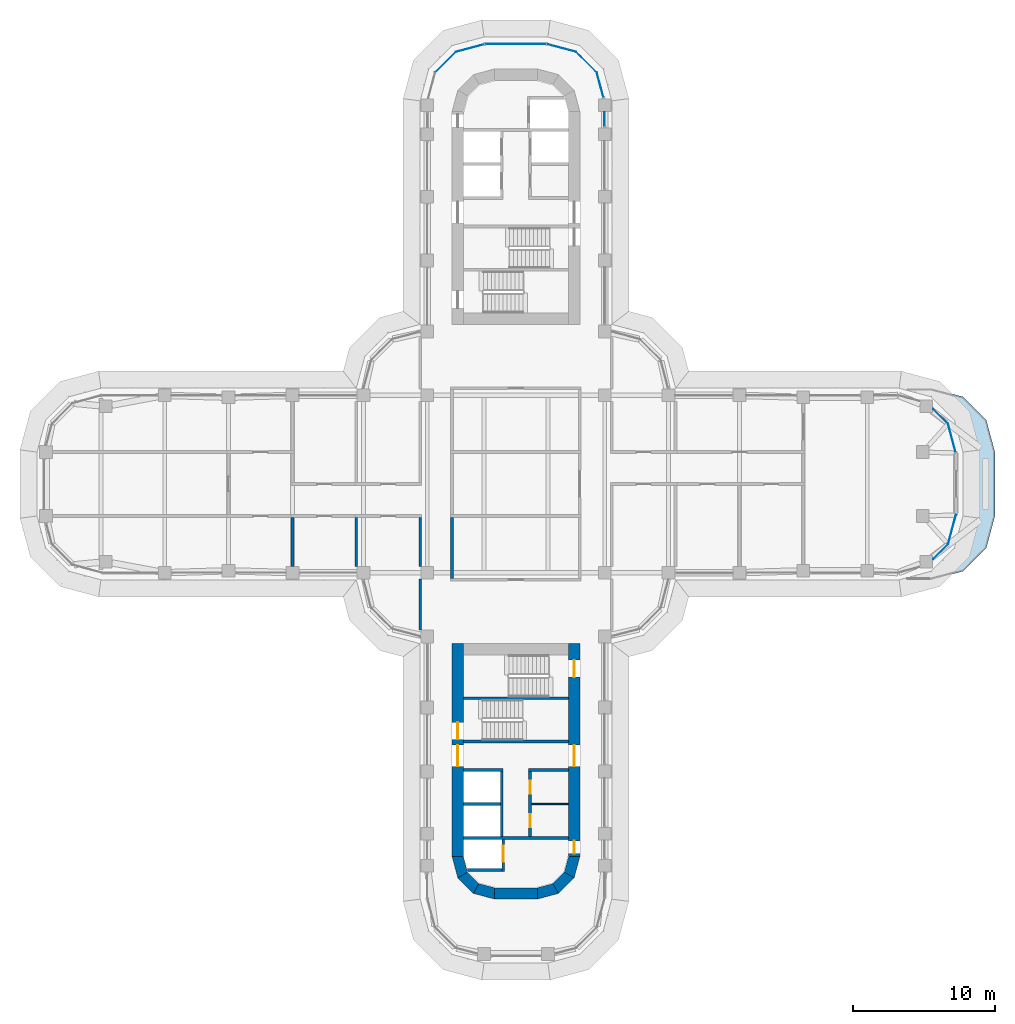
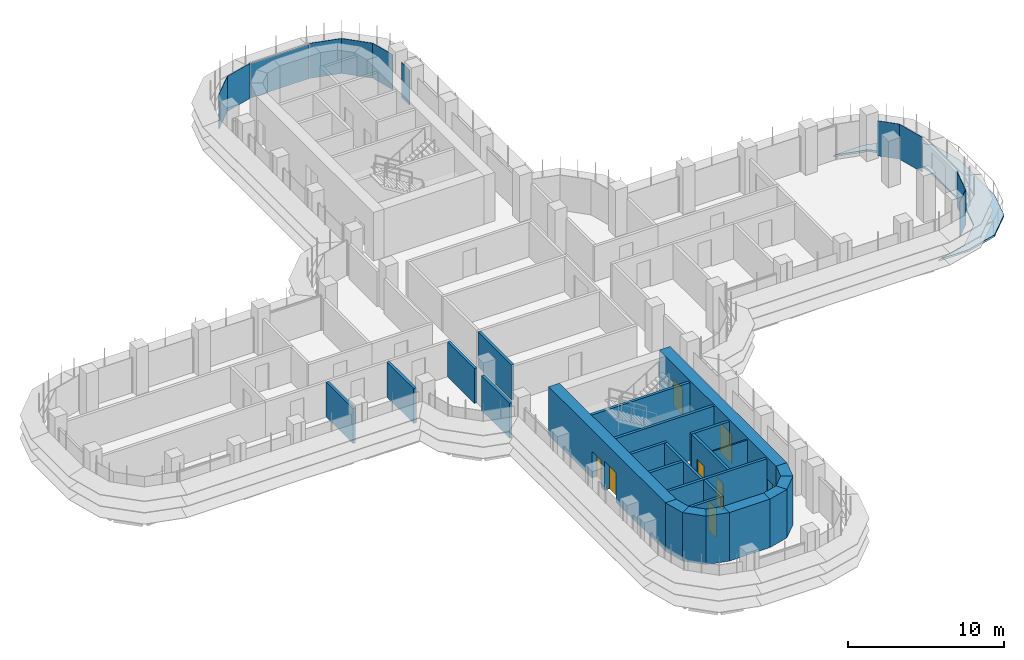
# One storey, part 15 of 22: 25 walls, 11 plates, 8 doors, 1 slab, 8 openings, 11 elements without a shape of their own.
"""IFC4 building model written with IfcOpenShell, lengths in metres."""

from ifc_helpers import new_model, si_unit, direction, frame, frame_2d, origin, place, context, subcontext, project, spatial, polyline, rectangle, outline, extrude, source, transform, mapped, material, layer, layer_set, type_object, element, fill, aggregate, save


model = new_model("IFC4")

# Units and contexts
model_context = context("Model", 3, precision=1e-05, world=origin(), true_north=direction((0.0, 1.0)))
body_context = subcontext(model_context, "Body", "Model", "MODEL_VIEW")
ifc_project = project(units=[si_unit("LENGTHUNIT", "METRE"), si_unit("AREAUNIT", "SQUARE_METRE"), si_unit("VOLUMEUNIT", "CUBIC_METRE"), si_unit("PLANEANGLEUNIT", "RADIAN"), si_unit("MASSUNIT", "GRAM", prefix="KILO")], contexts=[model_context])

# Site, building, storey
site_placement = place(None, origin())
site = spatial("IfcSite", under=ifc_project, at=site_placement, CompositionType="ELEMENT")
building_placement = place(site_placement, origin())
building = spatial("IfcBuilding", under=site, at=building_placement, Name="Zarbagh Exchange Tower", CompositionType="ELEMENT")
storey_placement = place(building_placement, frame((0.0, 0.0, 124.60009765625)))
storey = spatial("IfcBuildingStorey", under=building, at=storey_placement, Name="L29", CompositionType="ELEMENT", Elevation=124.60009765625)

# Slab
ifc_material_1 = material(Name="Concrete C40/50", Category="concrete")
ifc_layer_1 = layer(ifc_material_1, 0.14990234375)
ifc_layer_set_1 = layer_set([ifc_layer_1], Name="Step terrace roof slab 150 C40/50")
slab_type = type_object("IfcSlabType", Name="Step terrace roof slab 150 C40/50", PredefinedType="ROOF", material=ifc_layer_set_1)
slab_placement = place(storey_placement, frame((0.0, 0.0, -0.150146484375)))
element("IfcSlab", 1, at=slab_placement, inside=storey, type_object=slab_type, Name="S10 step terrace roof slab", PredefinedType="ROOF", context=body_context, shape_type="SweptSolid", body=[
    extrude(outline(polyline([(29.25, 6.75), (31.5, 6.147216796875), (33.147216796875, 4.5), (33.75, 2.25), (33.75, -2.25), (33.147216796875, -4.5), (31.5, -6.147216796875), (29.25, -6.75), (27.0, -6.75), (29.25, -6.147216796875), (30.897216796875, -4.5), (31.5, -2.25), (31.5, 2.25), (30.897216796875, 4.5), (29.25, 6.147216796875), (27.0, 6.75), (29.25, 6.75)])), origin(), (0.0, 0.0, 1.0), 0.150146484375),
])

# Curtain wall, plate
ifc_material_2 = material(Name="Anodised aluminium frame and glazing", Category="aluminium")
curtain_wall_type = type_object("IfcCurtainWallType", Name="CWA Ribbon glazing, lower zones", PredefinedType="NOTDEFINED", material=ifc_material_2)
curtain_wall_1_placement = place(storey_placement, origin())
curtain_wall_1 = element("IfcCurtainWall", 2, at=curtain_wall_1_placement, inside=storey, type_object=curtain_wall_type, Name="CWA51 curtain wall", PredefinedType="NOTDEFINED")
ifc_material_3 = material(Name="Low-e double glazed unit, 6+12+6 mm")
ifc_layer_2 = layer(ifc_material_3, 0.028076171875)
ifc_layer_set_2 = layer_set([ifc_layer_2], Name="PAA Glazing panel, Low-e double glazed unit, 6+12+6 mm")
plate_type = type_object("IfcPlateType", Name="PAA Glazing panel, Low-e double glazed unit, 6+12+6 mm", PredefinedType="CURTAIN_PANEL", material=ifc_layer_set_2)
shared_shape_1 = source(origin(), body_context, "Body", "SweptSolid", [
    extrude(outline(polyline([(0.0, -0.013916015625), (2.061279296875, -0.013916015625), (2.061279296875, 0.013916015625), (0.0, 0.013916015625), (0.0, -0.013916015625)])), origin(), (0.0, 0.0, 1.0), 2.75),
])
placement = place(storey_placement, origin())
plate_1 = element("IfcPlate", 3, at=placement, type_object=plate_type, Name="CWA51 glazing panel 1.1", PredefinedType="CURTAIN_PANEL", context=body_context, shape_type="MappedRepresentation", body=[
    mapped(shared_shape_1, transform((5.69873046875, 28.9912109375, 0.0), x_axis=(-0.707106781187, 0.707106781187, 0.0), y_axis=(-0.707106781187, -0.707106781187, 0.0), z_axis=(0.0, 0.0, 1.0))),
])
aggregate(curtain_wall_1, [plate_1])

curtain_wall_2_placement = place(storey_placement, origin())
curtain_wall_2 = element("IfcCurtainWall", 4, at=curtain_wall_2_placement, inside=storey, type_object=curtain_wall_type, Name="CWA54 curtain wall", PredefinedType="NOTDEFINED")
plate_2 = element("IfcPlate", 5, at=placement, type_object=plate_type, Name="CWA54 glazing panel 1.1", PredefinedType="CURTAIN_PANEL", context=body_context, shape_type="MappedRepresentation", body=[
    mapped(shared_shape_1, transform((-4.2412109375, 30.44873046875, 0.0), x_axis=(-0.707106781187, -0.707106781187, 0.0), y_axis=(0.707106781187, -0.707106781187, 0.0), z_axis=(0.0, 0.0, 1.0))),
])
aggregate(curtain_wall_2, [plate_2])

curtain_wall_3_placement = place(storey_placement, origin())
curtain_wall_3 = element("IfcCurtainWall", 6, at=curtain_wall_3_placement, inside=storey, type_object=curtain_wall_type, Name="CWA61 curtain wall", PredefinedType="NOTDEFINED")
shared_shape_2 = source(origin(), body_context, "Body", "SweptSolid", [
    extrude(outline(polyline([(0.0, -0.013916015625), (2.129638671875, -0.013916015625), (2.129638671875, 0.013916015625), (0.0, 0.013916015625), (0.0, -0.013916015625)])), origin(), (0.0, 0.0, 1.0), 2.75),
])
plate_3 = element("IfcPlate", 7, at=placement, type_object=plate_type, Name="CWA61 glazing panel 1.1", PredefinedType="CURTAIN_PANEL", context=body_context, shape_type="MappedRepresentation", body=[
    mapped(shared_shape_2, transform((30.44873046875, -4.2412109375, 0.0), x_axis=(0.258824779902, 0.965924289636, 0.0), y_axis=(-0.965924289636, 0.258824779902, 0.0), z_axis=(0.0, 0.0, 1.0))),
])
aggregate(curtain_wall_3, [plate_3])

curtain_wall_4_placement = place(storey_placement, origin())
curtain_wall_4 = element("IfcCurtainWall", 8, at=curtain_wall_4_placement, inside=storey, type_object=curtain_wall_type, Name="CWA52 curtain wall", PredefinedType="NOTDEFINED")
plate_4 = element("IfcPlate", 9, at=placement, type_object=plate_type, Name="CWA52 glazing panel 1.1", PredefinedType="CURTAIN_PANEL", context=body_context, shape_type="MappedRepresentation", body=[
    mapped(shared_shape_2, transform((4.2412109375, 30.44873046875, 0.0), x_axis=(-0.965924289636, 0.258824779902, 0.0), y_axis=(-0.258824779902, -0.965924289636, 0.0), z_axis=(0.0, 0.0, 1.0))),
])
aggregate(curtain_wall_4, [plate_4])

curtain_wall_5_placement = place(storey_placement, origin())
curtain_wall_5 = element("IfcCurtainWall", 10, at=curtain_wall_5_placement, inside=storey, type_object=curtain_wall_type, Name="CWA62 curtain wall", PredefinedType="NOTDEFINED")
shared_shape_3 = source(origin(), body_context, "Body", "SweptSolid", [
    extrude(outline(polyline([(0.0, -0.013916015625), (2.069580078125, -0.013916015625), (2.069580078125, 0.013916015625), (0.0, 0.013916015625), (0.0, -0.013916015625)])), origin(), (0.0, 0.0, 1.0), 2.75),
])
plate_5 = element("IfcPlate", 11, at=placement, type_object=plate_type, Name="CWA62 glazing panel 1.1", PredefinedType="CURTAIN_PANEL", context=body_context, shape_type="MappedRepresentation", body=[
    mapped(shared_shape_3, transform((30.984375, 2.2421875, 0.0), x_axis=(-0.258824779902, 0.965924289636, 0.0), y_axis=(-0.965924289636, -0.258824779902, 0.0), z_axis=(0.0, 0.0, 1.0))),
])
aggregate(curtain_wall_5, [plate_5])

curtain_wall_6_placement = place(storey_placement, origin())
curtain_wall_6 = element("IfcCurtainWall", 12, at=curtain_wall_6_placement, inside=storey, type_object=curtain_wall_type, Name="CWA53 curtain wall", PredefinedType="NOTDEFINED")
plate_6 = element("IfcPlate", 13, at=placement, type_object=plate_type, Name="CWA53 glazing panel 1.1", PredefinedType="CURTAIN_PANEL", context=body_context, shape_type="MappedRepresentation", body=[
    mapped(shared_shape_3, transform((-2.2421875, 30.984375, 0.0), x_axis=(-0.965924289636, -0.258824779902, 0.0), y_axis=(0.258824779902, -0.965924289636, 0.0), z_axis=(0.0, 0.0, 1.0))),
])
aggregate(curtain_wall_6, [plate_6])

curtain_wall_7_placement = place(storey_placement, origin())
curtain_wall_7 = element("IfcCurtainWall", 14, at=curtain_wall_7_placement, inside=storey, type_object=curtain_wall_type, Name="CWA49 curtain wall", PredefinedType="NOTDEFINED")
shared_shape_4 = source(origin(), body_context, "Body", "SweptSolid", [
    extrude(outline(polyline([(0.0, -0.013916015625), (1.010009765625, -0.013916015625), (1.010009765625, 0.013916015625), (0.0, 0.013916015625), (0.0, -0.013916015625)])), origin(), (0.0, 0.0, 1.0), 2.75),
])
plate_7 = element("IfcPlate", 15, at=placement, type_object=plate_type, Name="CWA49 glazing panel 4.1", PredefinedType="CURTAIN_PANEL", context=body_context, shape_type="MappedRepresentation", body=[
    mapped(shared_shape_4, transform((6.25, 25.199951171875, 0.0), x_axis=(0.0, 1.0, 0.0), y_axis=(-1.0, 0.0, 0.0), z_axis=(0.0, 0.0, 1.0))),
])
aggregate(curtain_wall_7, [plate_7])

curtain_wall_8_placement = place(storey_placement, origin())
curtain_wall_8 = element("IfcCurtainWall", 16, at=curtain_wall_8_placement, inside=storey, type_object=curtain_wall_type, Name="CWA50 curtain wall", PredefinedType="NOTDEFINED")
shared_shape_5 = source(origin(), body_context, "Body", "SweptSolid", [
    extrude(outline(polyline([(0.0, -0.013916015625), (1.8046875, -0.013916015625), (1.8046875, 0.013916015625), (0.0, 0.013916015625), (0.0, -0.013916015625)])), origin(), (0.0, 0.0, 1.0), 2.75),
])
plate_8 = element("IfcPlate", 17, at=placement, type_object=plate_type, Name="CWA50 glazing panel 1.1", PredefinedType="CURTAIN_PANEL", context=body_context, shape_type="MappedRepresentation", body=[
    mapped(shared_shape_5, transform((6.166015625, 27.248046875, 0.0), x_axis=(-0.258824779902, 0.965924289636, 0.0), y_axis=(-0.965924289636, -0.258824779902, 0.0), z_axis=(0.0, 0.0, 1.0))),
])
aggregate(curtain_wall_8, [plate_8])

curtain_wall_9_placement = place(storey_placement, origin())
curtain_wall_9 = element("IfcCurtainWall", 18, at=curtain_wall_9_placement, inside=storey, type_object=curtain_wall_type, Name="CWA57 curtain wall", PredefinedType="NOTDEFINED")
shared_shape_6 = source(origin(), body_context, "Body", "SweptSolid", [
    extrude(outline(polyline([(0.0, -0.013916015625), (4.308349609375, -0.013916015625), (4.308349609375, 0.013916015625), (0.0, 0.013916015625), (0.0, -0.013916015625)])), origin(), (0.0, 0.0, 1.0), 2.68994140625),
])
plate_9 = element("IfcPlate", 19, at=placement, type_object=plate_type, Name="CWA57 glazing panel 1.1", PredefinedType="CURTAIN_PANEL", context=body_context, shape_type="MappedRepresentation", body=[
    mapped(shared_shape_6, transform((2.124267578125, 31.0, 0.0), x_axis=(-1.0, 0.0, 0.0), y_axis=(0.0, -1.0, 0.0), z_axis=(0.0, 0.0, 1.0))),
])
aggregate(curtain_wall_9, [plate_9])

curtain_wall_10_placement = place(storey_placement, origin())
curtain_wall_10 = element("IfcCurtainWall", 20, at=curtain_wall_10_placement, inside=storey, type_object=curtain_wall_type, Name="CWA60 curtain wall", PredefinedType="NOTDEFINED")
shared_shape_7 = source(origin(), body_context, "Body", "SweptSolid", [
    extrude(outline(polyline([(0.0, -0.013916015625), (1.486083984375, -0.013916015625), (1.486083984375, 0.013916015625), (0.0, 0.013916015625), (0.0, -0.013916015625)])), origin(), (0.0, 0.0, 1.0), 2.75),
])
plate_10 = element("IfcPlate", 21, at=placement, type_object=plate_type, Name="CWA60 glazing panel 1.1", PredefinedType="CURTAIN_PANEL", context=body_context, shape_type="MappedRepresentation", body=[
    mapped(shared_shape_7, transform((29.39794921875, -5.2919921875, 0.0), x_axis=(0.707106781187, 0.707106781187, 0.0), y_axis=(-0.707106781187, 0.707106781187, 0.0), z_axis=(0.0, 0.0, 1.0))),
])
aggregate(curtain_wall_10, [plate_10])

curtain_wall_11_placement = place(storey_placement, origin())
curtain_wall_11 = element("IfcCurtainWall", 22, at=curtain_wall_11_placement, inside=storey, type_object=curtain_wall_type, Name="CWA63 curtain wall", PredefinedType="NOTDEFINED")
plate_11 = element("IfcPlate", 23, at=placement, type_object=plate_type, Name="CWA63 glazing panel 1.1", PredefinedType="CURTAIN_PANEL", context=body_context, shape_type="MappedRepresentation", body=[
    mapped(shared_shape_7, transform((30.44873046875, 4.2412109375, 0.0), x_axis=(-0.707106781187, 0.707106781187, 0.0), y_axis=(-0.707106781187, -0.707106781187, 0.0), z_axis=(0.0, 0.0, 1.0))),
])
aggregate(curtain_wall_11, [plate_11])

# Walls
ifc_material_4 = material(Name="Dense blockwork", Category="masonry")
ifc_layer_3 = layer(ifc_material_4, 0.10009765625)
ifc_layer_set_3 = layer_set([ifc_layer_3], Name="Core partition 100 mm blockwork")
wall_type_1 = type_object("IfcWallType", Name="Core partition 100 mm blockwork", PredefinedType="PARTITIONING", material=ifc_layer_set_3)
wall_1_placement = place(storey_placement, frame((3.699951171875, -22.550048828125, 0.0), z_axis=(0.0, 0.0, 1.0), x_axis=(-1.0, 0.0, 0.0)))
element("IfcWall", 24, at=wall_1_placement, inside=storey, type_object=wall_type_1, Name="South core partition wall CUT-W-580", PredefinedType="PARTITIONING", context=body_context, shape_type="SweptSolid", body=[
    extrude(rectangle(XDim=2.599853515625, YDim=0.10009765625, at=frame_2d((1.2998046875, 0.0))), origin(), (0.0, 0.0, 1.0), 3.64990234375),
])
ifc_material_5 = material(Name="Fire-rated plasterboard partition")
ifc_layer_4 = layer(ifc_material_5, 0.199951171875)
ifc_layer_set_4 = layer_set([ifc_layer_4], Name="RATED PARTITION 200")
wall_type_2 = type_object("IfcWallType", Name="RATED PARTITION 200", PredefinedType="PARTITIONING", material=ifc_layer_set_4)
wall_2_placement = place(storey_placement, frame((-4.5, -6.64990234375, 0.0), z_axis=(0.0, 0.0, 1.0), x_axis=(0.0, 1.0, 0.0)))
element("IfcWall", 25, at=wall_2_placement, inside=storey, type_object=wall_type_2, Name="Partition W-1103", PredefinedType="PARTITIONING", context=body_context, shape_type="SweptSolid", body=[
    extrude(rectangle(XDim=4.2998046875, YDim=0.199951171875, at=frame_2d((2.14990234375, 0.0))), origin(), (0.0, 0.0, 1.0), 2.738037109375),
])
wall_3_placement = place(storey_placement, frame((-6.75, -10.300048828125, 0.0), z_axis=(0.0, 0.0, 1.0), x_axis=(0.0, 1.0, 0.0)))
element("IfcWall", 26, at=wall_3_placement, inside=storey, type_object=wall_type_2, Name="Partition W-1106", PredefinedType="PARTITIONING", context=body_context, shape_type="SweptSolid", body=[
    extrude(rectangle(XDim=3.60009765625, YDim=0.199951171875, at=frame_2d((1.800048828125, 0.0))), origin(), (0.0, 0.0, 1.0), 2.738037109375),
])
for number, where, z_axis, x_axis, name in (
    (27, (-6.75, -5.800048828125, 0.0), (0.0, 0.0, 1.0), (0.0, 1.0, 0.0), "Partition W-1107"),
    (28, (-11.25, -5.800048828125, 0.0), (0.0, 0.0, 1.0), (0.0, 1.0, 0.0), "Partition W-1135"),
    (29, (-15.75, -5.800048828125, 0.0), (0.0, 0.0, 1.0), (0.0, 1.0, 0.0), "Partition W-1138"),
):
    element("IfcWall", number, at=place(storey_placement, frame(where, z_axis=z_axis, x_axis=x_axis)), inside=storey, type_object=wall_type_2, Name=name, PredefinedType="PARTITIONING", context=body_context, shape_type="SweptSolid", body=[
        extrude(rectangle(XDim=3.449951171875, YDim=0.199951171875, at=frame_2d((1.72509765625, 0.0))), origin(), (0.0, 0.0, 1.0), 2.738037109375),
    ])
ifc_material_6 = material(Name="Concrete C60/75", Category="concrete")
ifc_layer_5 = layer(ifc_material_6, 0.800048828125)
ifc_layer_set_5 = layer_set([ifc_layer_5], Name="RC core corner wall 800 C60/75")
wall_type_3 = type_object("IfcWallType", Name="RC core corner wall 800 C60/75", PredefinedType="SHEAR", material=ifc_layer_set_5)
wall_4_placement = place(storey_placement, origin())
element("IfcWall", 30, at=wall_4_placement, inside=storey, type_object=wall_type_3, Name="CW4 core S corner W", PredefinedType="SHEAR", context=body_context, shape_type="SweptSolid", body=[
    extrude(outline(polyline([(-4.5, -26.25), (-4.09814453125, -27.75), (-3.4052734375, -27.35009765625), (-3.699951171875, -26.25), (-4.5, -26.25)])), origin(), (0.0, 0.0, 1.0), 3.7998046875),
])
wall_5_placement = place(storey_placement, origin())
element("IfcWall", 31, at=wall_5_placement, inside=storey, type_object=wall_type_3, Name="CW4 core S corner W", PredefinedType="SHEAR", context=body_context, shape_type="SweptSolid", body=[
    extrude(outline(polyline([(-4.09814453125, -27.75), (-3.0, -28.84814453125), (-2.60009765625, -28.1552734375), (-3.4052734375, -27.35009765625), (-4.09814453125, -27.75)])), origin(), (0.0, 0.0, 1.0), 3.7998046875),
])
wall_6_placement = place(storey_placement, origin())
element("IfcWall", 32, at=wall_6_placement, inside=storey, type_object=wall_type_3, Name="CW4 core S corner W", PredefinedType="SHEAR", context=body_context, shape_type="SweptSolid", body=[
    extrude(outline(polyline([(-3.0, -28.84814453125), (-1.5, -29.25), (-1.5, -28.449951171875), (-2.60009765625, -28.1552734375), (-3.0, -28.84814453125)])), origin(), (0.0, 0.0, 1.0), 3.7998046875),
])
wall_7_placement = place(storey_placement, origin())
element("IfcWall", 33, at=wall_7_placement, inside=storey, type_object=wall_type_3, Name="CW4 core S corner E", PredefinedType="SHEAR", context=body_context, shape_type="SweptSolid", body=[
    extrude(outline(polyline([(4.5, -26.25), (4.09814453125, -27.75), (3.4052734375, -27.35009765625), (3.699951171875, -26.25), (4.5, -26.25)])), origin(), (0.0, 0.0, 1.0), 3.7998046875),
])
wall_8_placement = place(storey_placement, origin())
element("IfcWall", 34, at=wall_8_placement, inside=storey, type_object=wall_type_3, Name="CW4 core S corner E", PredefinedType="SHEAR", context=body_context, shape_type="SweptSolid", body=[
    extrude(outline(polyline([(4.09814453125, -27.75), (3.0, -28.84814453125), (2.60009765625, -28.1552734375), (3.4052734375, -27.35009765625), (4.09814453125, -27.75)])), origin(), (0.0, 0.0, 1.0), 3.7998046875),
])
wall_9_placement = place(storey_placement, origin())
element("IfcWall", 35, at=wall_9_placement, inside=storey, type_object=wall_type_3, Name="CW4 core S corner E", PredefinedType="SHEAR", context=body_context, shape_type="SweptSolid", body=[
    extrude(outline(polyline([(3.0, -28.84814453125), (1.5, -29.25), (1.5, -28.449951171875), (2.60009765625, -28.1552734375), (3.0, -28.84814453125)])), origin(), (0.0, 0.0, 1.0), 3.7998046875),
])

# Wall, openings, doors
ifc_layer_6 = layer(ifc_material_6, 0.800048828125)
ifc_layer_set_6 = layer_set([ifc_layer_6], Name="RC core wall 800 C60/75")
wall_type_4 = type_object("IfcWallType", Name="RC core wall 800 C60/75", PredefinedType="SHEAR", material=ifc_layer_set_6)
wall_10_placement = place(storey_placement, frame((-4.10009765625, -11.25, 0.0), z_axis=(0.0, 0.0, 1.0), x_axis=(0.0, -1.0, 0.0)))
wall_10 = element("IfcWall", 36, at=wall_10_placement, inside=storey, type_object=wall_type_4, Name="CW3 core S W", PredefinedType="SHEAR", context=body_context, shape_type="SweptSolid", body=[
    extrude(rectangle(XDim=15.0, YDim=0.800048828125, at=frame_2d((7.5, 0.0))), origin(), (0.0, 0.0, 1.0), 3.7998046875),
])
opening_1_placement = place(wall_10_placement, frame((7.14990234375, 0.0, 0.0)))
opening_1 = element("IfcOpeningElement", 37, at=opening_1_placement, cuts=wall_10, Name="Opening CD1-1500", PredefinedType="OPENING", context=body_context, shape_type="SweptSolid", body=[
    extrude(rectangle(XDim=1.5, YDim=2.300048828125, at=frame_2d((0.75, 1.14990234375))), frame((0.0, 0.409912109375, 0.0), z_axis=(0.0, -1.0, 0.0), x_axis=(1.0, 0.0, 0.0)), (0.0, 0.0, 1.0), 0.820068359375),
])
opening_2_placement = place(wall_10_placement, frame((5.550048828125, 0.0, 0.0)))
opening_2 = element("IfcOpeningElement", 38, at=opening_2_placement, cuts=wall_10, Name="Opening SD1-1200", PredefinedType="OPENING", context=body_context, shape_type="SweptSolid", body=[
    extrude(rectangle(XDim=1.199951171875, YDim=2.10009765625, at=frame_2d((0.60009765625, 1.050048828125))), frame((0.0, 0.409912109375, 0.0), z_axis=(0.0, -1.0, 0.0), x_axis=(1.0, 0.0, 0.0)), (0.0, 0.0, 1.0), 0.820068359375),
])
ifc_material_7 = material(Name="Steel", Category="steel")
door_type_1 = type_object("IfcDoorType", Name="Exit stair door 1200 x 2100", OperationType="NOTDEFINED", PredefinedType="DOOR", material=ifc_material_7)
door_1_placement = place(opening_2_placement, origin())
door_1 = element("IfcDoor", 39, at=door_1_placement, inside=storey, type_object=door_type_1, Name="South core stair door ST1", OperationType="SINGLE_SWING_LEFT", OverallHeight=2.10009765625, OverallWidth=1.199951171875, PredefinedType="DOOR", context=body_context, shape_type="SweptSolid", body=[
    extrude(rectangle(XDim=1.199951171875, YDim=2.10009765625, at=frame_2d((0.60009765625, 1.050048828125))), frame((0.0, 0.02490234375, 0.0), z_axis=(0.0, -1.0, 0.0), x_axis=(1.0, 0.0, 0.0)), (0.0, 0.0, 1.0), 0.050048828125),
])
fill(opening_2, door_1)
door_type_2 = type_object("IfcDoorType", Name="Lift lobby double door 1500 x 2300", OperationType="NOTDEFINED", PredefinedType="DOOR", material=ifc_material_7)
door_2_placement = place(opening_1_placement, origin())
door_2 = element("IfcDoor", 40, at=door_2_placement, inside=storey, type_object=door_type_2, Name="South core lift lobby door LOBBY-E", OperationType="DOUBLE_DOOR_SINGLE_SWING", OverallHeight=2.300048828125, OverallWidth=1.5, PredefinedType="DOOR", context=body_context, shape_type="SweptSolid", body=[
    extrude(rectangle(XDim=1.5, YDim=2.300048828125, at=frame_2d((0.75, 1.14990234375))), frame((0.0, 0.02490234375, 0.0), z_axis=(0.0, -1.0, 0.0), x_axis=(1.0, 0.0, 0.0)), (0.0, 0.0, 1.0), 0.050048828125),
])
fill(opening_1, door_2)

wall_11_placement = place(storey_placement, frame((4.10009765625, -11.25, 0.0), z_axis=(0.0, 0.0, 1.0), x_axis=(0.0, -1.0, 0.0)))
wall_11 = element("IfcWall", 41, at=wall_11_placement, inside=storey, type_object=wall_type_4, Name="CW3 core S E", PredefinedType="SHEAR", context=body_context, shape_type="SweptSolid", body=[
    extrude(rectangle(XDim=15.0, YDim=0.800048828125, at=frame_2d((7.5, 0.0))), origin(), (0.0, 0.0, 1.0), 3.7998046875),
])
opening_3_placement = place(wall_11_placement, frame((7.14990234375, 0.0, 0.0)))
opening_3 = element("IfcOpeningElement", 42, at=opening_3_placement, cuts=wall_11, Name="Opening CD1-1500", PredefinedType="OPENING", context=body_context, shape_type="SweptSolid", body=[
    extrude(rectangle(XDim=1.5, YDim=2.300048828125, at=frame_2d((0.75, 1.14990234375))), frame((0.0, 0.409912109375, 0.0), z_axis=(0.0, -1.0, 0.0), x_axis=(1.0, 0.0, 0.0)), (0.0, 0.0, 1.0), 0.820068359375),
])
opening_4_placement = place(wall_11_placement, frame((13.89990234375, 0.0, 0.0)))
opening_4 = element("IfcOpeningElement", 43, at=opening_4_placement, cuts=wall_11, Name="Opening CD2-900", PredefinedType="OPENING", context=body_context, shape_type="SweptSolid", body=[
    extrude(rectangle(XDim=0.89990234375, YDim=2.10009765625, at=frame_2d((0.449951171875, 1.050048828125))), frame((0.0, 0.409912109375, 0.0), z_axis=(0.0, -1.0, 0.0), x_axis=(1.0, 0.0, 0.0)), (0.0, 0.0, 1.0), 0.820068359375),
])
opening_5_placement = place(wall_11_placement, frame((1.14990234375, 0.0, 0.0)))
opening_5 = element("IfcOpeningElement", 44, at=opening_5_placement, cuts=wall_11, Name="Opening SD1-1200", PredefinedType="OPENING", context=body_context, shape_type="SweptSolid", body=[
    extrude(rectangle(XDim=1.199951171875, YDim=2.10009765625, at=frame_2d((0.60009765625, 1.050048828125))), frame((0.0, 0.409912109375, 0.0), z_axis=(0.0, -1.0, 0.0), x_axis=(1.0, 0.0, 0.0)), (0.0, 0.0, 1.0), 0.820068359375),
])
door_3_placement = place(opening_5_placement, origin())
door_3 = element("IfcDoor", 45, at=door_3_placement, inside=storey, type_object=door_type_1, Name="South core stair door ST2", OperationType="SINGLE_SWING_LEFT", OverallHeight=2.10009765625, OverallWidth=1.199951171875, PredefinedType="DOOR", context=body_context, shape_type="SweptSolid", body=[
    extrude(rectangle(XDim=1.199951171875, YDim=2.10009765625, at=frame_2d((0.60009765625, 1.050048828125))), frame((0.0, 0.02490234375, 0.0), z_axis=(0.0, -1.0, 0.0), x_axis=(1.0, 0.0, 0.0)), (0.0, 0.0, 1.0), 0.050048828125),
])
fill(opening_5, door_3)
door_type_3 = type_object("IfcDoorType", Name="Firefighting lobby door 900 x 2100", OperationType="NOTDEFINED", PredefinedType="DOOR", material=ifc_material_7)
door_4_placement = place(opening_4_placement, origin())
door_4 = element("IfcDoor", 46, at=door_4_placement, inside=storey, type_object=door_type_3, Name="South core firefighting lobby door FF-W", OperationType="SINGLE_SWING_LEFT", OverallHeight=2.10009765625, OverallWidth=0.89990234375, PredefinedType="DOOR", context=body_context, shape_type="SweptSolid", body=[
    extrude(rectangle(XDim=0.89990234375, YDim=2.10009765625, at=frame_2d((0.449951171875, 1.050048828125))), frame((0.0, 0.02490234375, 0.0), z_axis=(0.0, -1.0, 0.0), x_axis=(1.0, 0.0, 0.0)), (0.0, 0.0, 1.0), 0.050048828125),
])
fill(opening_4, door_4)
door_5_placement = place(opening_3_placement, origin())
door_5 = element("IfcDoor", 47, at=door_5_placement, inside=storey, type_object=door_type_2, Name="South core lift lobby door LOBBY-W", OperationType="DOUBLE_DOOR_SINGLE_SWING", OverallHeight=2.300048828125, OverallWidth=1.5, PredefinedType="DOOR", context=body_context, shape_type="SweptSolid", body=[
    extrude(rectangle(XDim=1.5, YDim=2.300048828125, at=frame_2d((0.75, 1.14990234375))), frame((0.0, 0.02490234375, 0.0), z_axis=(0.0, -1.0, 0.0), x_axis=(1.0, 0.0, 0.0)), (0.0, 0.0, 1.0), 0.050048828125),
])
fill(opening_3, door_5)

# Walls
wall_12_placement = place(storey_placement, frame((-1.5, -28.85009765625, 0.0), z_axis=(0.0, 0.0, 1.0), x_axis=(1.0, 0.0, 0.0)))
element("IfcWall", 48, at=wall_12_placement, inside=storey, type_object=wall_type_4, Name="CW3 core S outer end", PredefinedType="SHEAR", context=body_context, shape_type="SweptSolid", body=[
    extrude(rectangle(XDim=3.0, YDim=0.800048828125, at=frame_2d((1.5, 0.0))), origin(), (0.0, 0.0, 1.0), 3.7998046875),
])
ifc_layer_7 = layer(ifc_material_4, 0.199951171875)
ifc_layer_set_7 = layer_set([ifc_layer_7], Name="Shaft wall 200 mm blockwork")
wall_type_5 = type_object("IfcWallType", Name="Shaft wall 200 mm blockwork", PredefinedType="PARTITIONING", material=ifc_layer_set_7)
wall_13_placement = place(storey_placement, frame((3.699951171875, -20.14990234375, 0.0), z_axis=(0.0, 0.0, 1.0), x_axis=(-1.0, 0.0, 0.0)))
element("IfcWall", 49, at=wall_13_placement, inside=storey, type_object=wall_type_5, Name="South core shaft wall AB-W", PredefinedType="PARTITIONING", context=body_context, shape_type="SweptSolid", body=[
    extrude(rectangle(XDim=2.800048828125, YDim=0.199951171875, at=frame_2d((1.39990234375, 0.0))), origin(), (0.0, 0.0, 1.0), 3.64990234375),
])

# Wall, openings, doors
wall_14_placement = place(storey_placement, frame((1.0, -24.85009765625, 0.0), z_axis=(0.0, 0.0, 1.0), x_axis=(0.0, 1.0, 0.0)))
wall_14 = element("IfcWall", 50, at=wall_14_placement, inside=storey, type_object=wall_type_5, Name="South core shaft wall LW-W", PredefinedType="PARTITIONING", context=body_context, shape_type="SweptSolid", body=[
    extrude(rectangle(XDim=4.60009765625, YDim=0.199951171875, at=frame_2d((2.300048828125, 0.0))), origin(), (0.0, 0.0, 1.0), 3.64990234375),
])
opening_6_placement = place(wall_14_placement, frame((0.675048828125, 0.0, 0.0)))
opening_6 = element("IfcOpeningElement", 51, at=opening_6_placement, cuts=wall_14, Name="Opening CD3-900", PredefinedType="OPENING", context=body_context, shape_type="SweptSolid", body=[
    extrude(rectangle(XDim=0.89990234375, YDim=2.10009765625, at=frame_2d((0.449951171875, 1.050048828125))), frame((0.0, 0.10986328125, 0.0), z_axis=(0.0, -1.0, 0.0), x_axis=(1.0, 0.0, 0.0)), (0.0, 0.0, 1.0), 0.219970703125),
])
opening_7_placement = place(wall_14_placement, frame((3.02490234375, 0.0, 0.0)))
opening_7 = element("IfcOpeningElement", 52, at=opening_7_placement, cuts=wall_14, Name="Opening CD3-900", PredefinedType="OPENING", context=body_context, shape_type="SweptSolid", body=[
    extrude(rectangle(XDim=0.89990234375, YDim=2.10009765625, at=frame_2d((0.449951171875, 1.050048828125))), frame((0.0, 0.10986328125, 0.0), z_axis=(0.0, -1.0, 0.0), x_axis=(1.0, 0.0, 0.0)), (0.0, 0.0, 1.0), 0.219970703125),
])
door_type_4 = type_object("IfcDoorType", Name="Core room door 900 x 2100", OperationType="NOTDEFINED", PredefinedType="DOOR", material=ifc_material_7)
door_6_placement = place(opening_6_placement, origin())
door_6 = element("IfcDoor", 53, at=door_6_placement, inside=storey, type_object=door_type_4, Name="South core Staff WC door RD-W-0", OperationType="SINGLE_SWING_LEFT", OverallHeight=2.10009765625, OverallWidth=0.89990234375, PredefinedType="DOOR", context=body_context, shape_type="SweptSolid", body=[
    extrude(rectangle(XDim=0.89990234375, YDim=2.10009765625, at=frame_2d((0.449951171875, 1.050048828125))), frame((0.0, 0.02490234375, 0.0), z_axis=(0.0, -1.0, 0.0), x_axis=(1.0, 0.0, 0.0)), (0.0, 0.0, 1.0), 0.050048828125),
])
fill(opening_6, door_6)
door_7_placement = place(opening_7_placement, origin())
door_7 = element("IfcDoor", 54, at=door_7_placement, inside=storey, type_object=door_type_4, Name="South core Accessible WC door RD-W-1", OperationType="SINGLE_SWING_LEFT", OverallHeight=2.10009765625, OverallWidth=0.89990234375, PredefinedType="DOOR", context=body_context, shape_type="SweptSolid", body=[
    extrude(rectangle(XDim=0.89990234375, YDim=2.10009765625, at=frame_2d((0.449951171875, 1.050048828125))), frame((0.0, 0.02490234375, 0.0), z_axis=(0.0, -1.0, 0.0), x_axis=(1.0, 0.0, 0.0)), (0.0, 0.0, 1.0), 0.050048828125),
])
fill(opening_7, door_7)

# Walls
wall_15_placement = place(storey_placement, frame((-0.89990234375, -20.14990234375, 0.0), z_axis=(0.0, 0.0, 1.0), x_axis=(-1.0, 0.0, 0.0)))
element("IfcWall", 55, at=wall_15_placement, inside=storey, type_object=wall_type_5, Name="South core shaft wall AB-E", PredefinedType="PARTITIONING", context=body_context, shape_type="SweptSolid", body=[
    extrude(rectangle(XDim=2.800048828125, YDim=0.199951171875, at=frame_2d((1.39990234375, 0.0))), origin(), (0.0, 0.0, 1.0), 3.64990234375),
])
wall_16_placement = place(storey_placement, frame((-1.0, -24.85009765625, 0.0), z_axis=(0.0, 0.0, 1.0), x_axis=(0.0, 1.0, 0.0)))
element("IfcWall", 56, at=wall_16_placement, inside=storey, type_object=wall_type_5, Name="South core shaft wall LW-E", PredefinedType="PARTITIONING", context=body_context, shape_type="SweptSolid", body=[
    extrude(rectangle(XDim=4.60009765625, YDim=0.199951171875, at=frame_2d((2.300048828125, 0.0))), origin(), (0.0, 0.0, 1.0), 3.64990234375),
])
wall_17_placement = place(storey_placement, frame((-1.10009765625, -22.550048828125, 0.0), z_axis=(0.0, 0.0, 1.0), x_axis=(-1.0, 0.0, 0.0)))
element("IfcWall", 57, at=wall_17_placement, inside=storey, type_object=wall_type_5, Name="South core shaft wall TR-E", PredefinedType="PARTITIONING", context=body_context, shape_type="SweptSolid", body=[
    extrude(rectangle(XDim=2.599853515625, YDim=0.199951171875, at=frame_2d((1.2998046875, 0.0))), origin(), (0.0, 0.0, 1.0), 3.64990234375),
])
ifc_layer_8 = layer(ifc_material_1, 0.199951171875)
ifc_layer_set_8 = layer_set([ifc_layer_8], Name="Stair enclosure wall 200 mm RC C40/50")
wall_type_6 = type_object("IfcWallType", Name="Stair enclosure wall 200 mm RC C40/50", PredefinedType="SHEAR", material=ifc_layer_set_8)
wall_18_placement = place(storey_placement, frame((3.699951171875, -24.949951171875, 0.0), z_axis=(0.0, 0.0, 1.0), x_axis=(-1.0, 0.0, 0.0)))
element("IfcWall", 58, at=wall_18_placement, inside=storey, type_object=wall_type_6, Name="South core lift shaft wall FFA", PredefinedType="SHEAR", context=body_context, shape_type="SweptSolid", body=[
    extrude(rectangle(XDim=7.39990234375, YDim=0.199951171875, at=frame_2d((3.699951171875, 0.0))), origin(), (0.0, 0.0, 1.0), 3.64990234375),
])

# Wall, opening, door
wall_19_placement = place(storey_placement, frame((-0.89990234375, -27.300048828125, 0.0), z_axis=(0.0, 0.0, 1.0), x_axis=(0.0, 1.0, 0.0)))
wall_19 = element("IfcWall", 59, at=wall_19_placement, inside=storey, type_object=wall_type_6, Name="South core lift shaft wall FFL", PredefinedType="SHEAR", context=body_context, shape_type="SweptSolid", body=[
    extrude(rectangle(XDim=2.25, YDim=0.199951171875, at=frame_2d((1.125, 0.0))), origin(), (0.0, 0.0, 1.0), 3.64990234375),
])
opening_8_placement = place(wall_19_placement, frame((0.699951171875, 0.0, 0.0)))
opening_8 = element("IfcOpeningElement", 60, at=opening_8_placement, cuts=wall_19, Name="Opening LD-1100", PredefinedType="OPENING", context=body_context, shape_type="SweptSolid", body=[
    extrude(rectangle(XDim=1.10009765625, YDim=2.300048828125, at=frame_2d((0.550048828125, 1.14990234375))), frame((0.0, 0.10986328125, 0.0), z_axis=(0.0, -1.0, 0.0), x_axis=(1.0, 0.0, 0.0)), (0.0, 0.0, 1.0), 0.219970703125),
])
ifc_material_8 = material(Name="Stainless steel", Category="steel")
door_type_5 = type_object("IfcDoorType", Name="Lift landing door 1100 x 2300", OperationType="NOTDEFINED", PredefinedType="DOOR", material=ifc_material_8)
door_8_placement = place(opening_8_placement, origin())
door_8 = element("IfcDoor", 61, at=door_8_placement, inside=storey, type_object=door_type_5, Name="South core lift landing door LD-F", OperationType="DOUBLE_DOOR_SLIDING", OverallHeight=2.300048828125, OverallWidth=1.10009765625, PredefinedType="DOOR", context=body_context, shape_type="SweptSolid", body=[
    extrude(rectangle(XDim=1.10009765625, YDim=2.300048828125, at=frame_2d((0.550048828125, 1.14990234375))), frame((0.0, 0.02490234375, 0.0), z_axis=(0.0, -1.0, 0.0), x_axis=(1.0, 0.0, 0.0)), (0.0, 0.0, 1.0), 0.050048828125),
])
fill(opening_8, door_8)

# Walls
wall_20_placement = place(storey_placement, origin())
element("IfcWall", 62, at=wall_20_placement, inside=storey, type_object=wall_type_6, Name="South core lift shaft wall FFX", PredefinedType="SHEAR", context=body_context, shape_type="SweptSolid", body=[
    extrude(outline(polyline([(-1.0, -27.10009765625), (-3.444091796875, -27.10009765625), (-3.390380859375, -27.300048828125), (-1.0, -27.300048828125), (-1.0, -27.10009765625)])), origin(), (0.0, 0.0, 1.0), 3.64990234375),
])
for number, where, z_axis, x_axis, name in (
    (63, (3.699951171875, -18.14990234375, 0.0), (0.0, 0.0, 1.0), (-1.0, 0.0, 0.0), "South core stair wall BS"),
    (64, (3.699951171875, -15.10009765625, 0.0), (0.0, 0.0, 1.0), (-1.0, 0.0, 0.0), "South core stair wall ST12"),
):
    element("IfcWall", number, at=place(storey_placement, frame(where, z_axis=z_axis, x_axis=x_axis)), inside=storey, type_object=wall_type_6, Name=name, PredefinedType="SHEAR", context=body_context, shape_type="SweptSolid", body=[
        extrude(rectangle(XDim=7.39990234375, YDim=0.199951171875, at=frame_2d((3.699951171875, 0.0))), origin(), (0.0, 0.0, 1.0), 3.64990234375),
    ])

save(model, "model.ifc")
